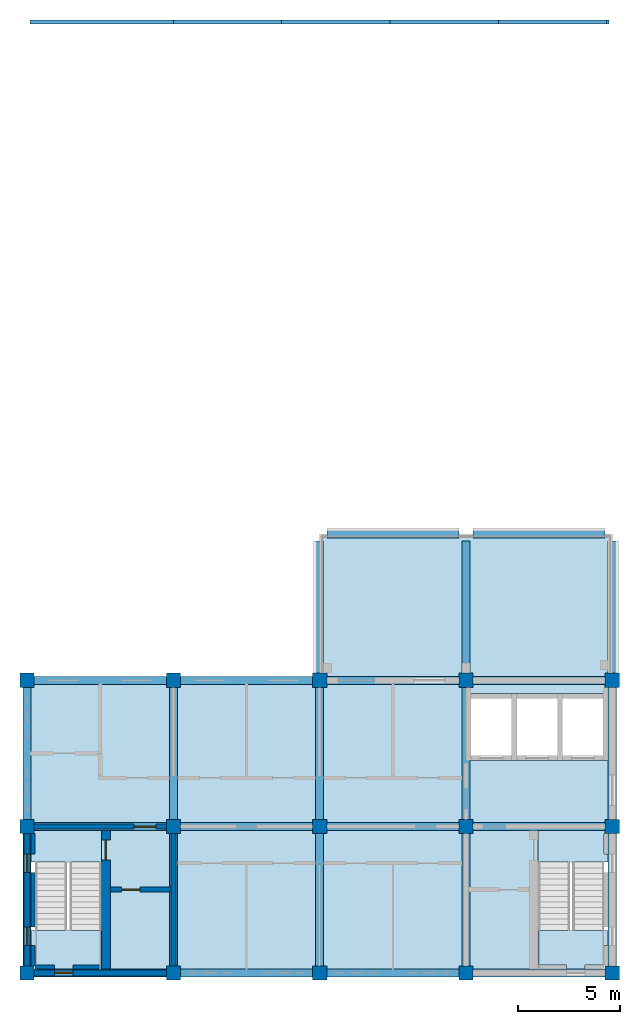
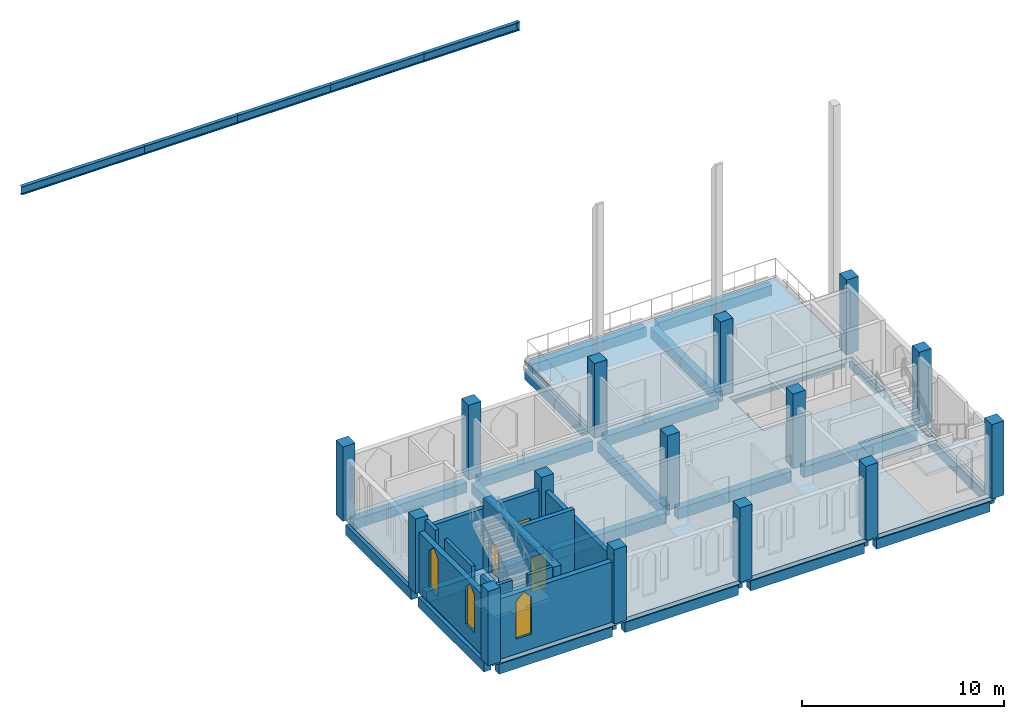
# One storey, part 1 of 5: 27 beams, 15 columns, 11 walls, 6 members, 6 slabs, 3 doors, 3 windows, 6 openings, 2 elements without a shape of their own.
"""IFC4 building model written with IfcOpenShell, lengths in metres."""

from ifc_helpers import new_model, si_unit, direction, frame, frame_2d, origin, origin_2d, place, context, subcontext, project, spatial, polyline, rectangle, i_section, outline, extrude, material, layer, layer_set, material_profile, profile_set, type_object, element, fill, aggregate, save


model = new_model("IFC4")

# Units and contexts
model_context = context("Model", 3, precision=1e-05, world=origin(), true_north=direction((0.0, 1.0)))
body_context = subcontext(model_context, "Body", "Model", "MODEL_VIEW")
ifc_project = project(units=[si_unit("LENGTHUNIT", "METRE"), si_unit("AREAUNIT", "SQUARE_METRE"), si_unit("VOLUMEUNIT", "CUBIC_METRE"), si_unit("PLANEANGLEUNIT", "RADIAN"), si_unit("MASSUNIT", "GRAM", prefix="KILO")], contexts=[model_context])

# Site, building, storey
site_placement = place(None, origin())
site = spatial("IfcSite", under=ifc_project, at=site_placement, CompositionType="ELEMENT")
building_placement = place(site_placement, origin())
building = spatial("IfcBuilding", under=site, at=building_placement, Name="Silangan Lancet Faculty of Sciences", CompositionType="ELEMENT")
storey_placement = place(building_placement, frame((0.0, 0.0, 67.800048828125)))
storey = spatial("IfcBuildingStorey", under=building, at=storey_placement, Name="L14", CompositionType="ELEMENT", Elevation=67.800048828125)

# Columns
ifc_material_1 = material(Name="Concrete C40/50", Category="concrete")
ifc_material_profile_1 = material_profile(ifc_material_1, rectangle(XDim=0.699951171875, YDim=0.699951171875, at=origin_2d()), Name="RC 700x700")
ifc_profile_set_1 = profile_set([ifc_material_profile_1], Name="Concrete C40/50")
column_type = type_object("IfcColumnType", Name="COLUMN RC 700x700", PredefinedType="COLUMN", material=ifc_profile_set_1)
for number, where, z_axis, x_axis, name in (
    (1, (0.0, 0.0, 0.0), (0.0, 0.0, 1.0), (1.0, 0.0, 0.0), "COL-L14-1A"),
    (2, (0.0, 7.199951171875, 0.0), (0.0, 0.0, 1.0), (1.0, 0.0, 0.0), "COL-L14-1B"),
    (3, (0.0, 14.39990234375, 0.0), (0.0, 0.0, 1.0), (1.0, 0.0, 0.0), "COL-L14-1C"),
    (4, (7.199951171875, 0.0, 0.0), (0.0, 0.0, 1.0), (1.0, 0.0, 0.0), "COL-L14-2A"),
    (5, (7.199951171875, 7.199951171875, 0.0), (0.0, 0.0, 1.0), (1.0, 0.0, 0.0), "COL-L14-2B"),
    (6, (7.199951171875, 14.39990234375, 0.0), (0.0, 0.0, 1.0), (1.0, 0.0, 0.0), "COL-L14-2C"),
    (7, (14.39990234375, 0.0, 0.0), (0.0, 0.0, 1.0), (1.0, 0.0, 0.0), "COL-L14-3A"),
    (8, (14.39990234375, 7.199951171875, 0.0), (0.0, 0.0, 1.0), (1.0, 0.0, 0.0), "COL-L14-3B"),
    (9, (14.39990234375, 14.39990234375, 0.0), (0.0, 0.0, 1.0), (1.0, 0.0, 0.0), "COL-L14-3C"),
    (10, (21.60009765625, 0.0, 0.0), (0.0, 0.0, 1.0), (1.0, 0.0, 0.0), "COL-L14-4A"),
    (11, (21.60009765625, 7.199951171875, 0.0), (0.0, 0.0, 1.0), (1.0, 0.0, 0.0), "COL-L14-4B"),
    (12, (21.60009765625, 14.39990234375, 0.0), (0.0, 0.0, 1.0), (1.0, 0.0, 0.0), "COL-L14-4C"),
    (13, (28.800048828125, 0.0, 0.0), (0.0, 0.0, 1.0), (1.0, 0.0, 0.0), "COL-L14-5A"),
    (14, (28.800048828125, 7.199951171875, 0.0), (0.0, 0.0, 1.0), (1.0, 0.0, 0.0), "COL-L14-5B"),
    (15, (28.800048828125, 14.39990234375, 0.0), (0.0, 0.0, 1.0), (1.0, 0.0, 0.0), "COL-L14-5C"),
):
    element("IfcColumn", number, at=place(storey_placement, frame(where, z_axis=z_axis, x_axis=x_axis)), inside=storey, type_object=column_type, Name=name, PredefinedType="COLUMN", context=body_context, shape_type="SweptSolid", body=[
        extrude(rectangle(XDim=0.699951171875, YDim=0.699951171875, at=origin_2d()), origin(), (0.0, 0.0, 1.0), 4.5),
    ])

# Beams
ifc_material_2 = material(Name="Concrete C40/50", Category="concrete")
ifc_material_profile_2 = material_profile(ifc_material_2, rectangle(XDim=0.39990234375, YDim=0.60009765625, at=origin_2d()), Name="RC 400x600")
ifc_profile_set_2 = profile_set([ifc_material_profile_2], Name="Concrete C40/50")
beam_type_1 = type_object("IfcBeamType", Name="BEAM RC 400x600", PredefinedType="BEAM", material=ifc_profile_set_2)
for number, where, z_axis, x_axis, name in (
    (16, (0.35009765625, 0.0, -0.550048828125), (1.0, 0.0, 0.0), (0.0, 1.0, 0.0), "BM-L14-1A-2A"),
    (17, (7.550048828125, 0.0, -0.550048828125), (1.0, 0.0, 0.0), (0.0, 1.0, 0.0), "BM-L14-2A-3A"),
    (18, (14.75, 0.0, -0.550048828125), (1.0, 0.0, 0.0), (0.0, 1.0, 0.0), "BM-L14-3A-4A"),
    (19, (21.949951171875, 0.0, -0.550048828125), (1.0, 0.0, 0.0), (0.0, 1.0, 0.0), "BM-L14-4A-5A"),
    (20, (0.35009765625, 14.39990234375, -0.550048828125), (1.0, 0.0, 0.0), (0.0, 1.0, 0.0), "BM-L14-1C-2C"),
    (21, (7.550048828125, 14.39990234375, -0.550048828125), (1.0, 0.0, 0.0), (0.0, 1.0, 0.0), "BM-L14-2C-3C"),
    (22, (14.75, 14.39990234375, -0.550048828125), (1.0, 0.0, 0.0), (0.0, 1.0, 0.0), "BM-L14-3C-4C"),
    (23, (21.949951171875, 14.39990234375, -0.550048828125), (1.0, 0.0, 0.0), (0.0, 1.0, 0.0), "BM-L14-4C-5C"),
    (24, (0.0, 0.35009765625, -0.550048828125), (0.0, 1.0, 0.0), (-1.0, 0.0, 0.0), "BM-L14-1A-1B"),
    (25, (0.0, 7.550048828125, -0.550048828125), (0.0, 1.0, 0.0), (-1.0, 0.0, 0.0), "BM-L14-1B-1C"),
    (26, (28.800048828125, 0.35009765625, -0.550048828125), (0.0, 1.0, 0.0), (-1.0, 0.0, 0.0), "BM-L14-5A-5B"),
    (27, (28.800048828125, 7.550048828125, -0.550048828125), (0.0, 1.0, 0.0), (-1.0, 0.0, 0.0), "BM-L14-5B-5C"),
    (28, (14.75, 21.60009765625, -0.550048828125), (1.0, 0.0, 0.0), (0.0, 1.0, 0.0), "BM-ST-T2-L14-3D-4D"),
    (29, (21.949951171875, 21.60009765625, -0.550048828125), (1.0, 0.0, 0.0), (0.0, 1.0, 0.0), "BM-ST-T2-L14-4D-5D"),
    (30, (14.39990234375, 14.75, -0.550048828125), (0.0, 1.0, 0.0), (-1.0, 0.0, 0.0), "BM-ST-T2-L14-3C-3D"),
    (31, (28.800048828125, 14.75, -0.550048828125), (0.0, 1.0, 0.0), (-1.0, 0.0, 0.0), "BM-ST-T2-L14-5C-5D"),
):
    element("IfcBeam", number, at=place(storey_placement, frame(where, z_axis=z_axis, x_axis=x_axis)), inside=storey, type_object=beam_type_1, Name=name, PredefinedType="BEAM", context=body_context, shape_type="SweptSolid", body=[
        extrude(rectangle(XDim=0.39990234375, YDim=0.60009765625, at=origin_2d()), origin(), (0.0, 0.0, 1.0), 6.5),
    ])
ifc_material_3 = material(Name="Concrete C40/50", Category="concrete")
ifc_material_profile_3 = material_profile(ifc_material_3, rectangle(XDim=0.39990234375, YDim=0.64990234375, at=origin_2d()), Name="RC 400x650")
ifc_profile_set_3 = profile_set([ifc_material_profile_3], Name="Concrete C40/50")
beam_type_2 = type_object("IfcBeamType", Name="BEAM RC 400x650", PredefinedType="BEAM", material=ifc_profile_set_3)
for number, where, z_axis, x_axis, name in (
    (32, (0.35009765625, 7.199951171875, -0.574951171875), (1.0, 0.0, 0.0), (0.0, 1.0, 0.0), "BM-L14-1B-2B"),
    (33, (7.550048828125, 7.199951171875, -0.574951171875), (1.0, 0.0, 0.0), (0.0, 1.0, 0.0), "BM-L14-2B-3B"),
    (34, (14.75, 7.199951171875, -0.574951171875), (1.0, 0.0, 0.0), (0.0, 1.0, 0.0), "BM-L14-3B-4B"),
    (35, (21.949951171875, 7.199951171875, -0.574951171875), (1.0, 0.0, 0.0), (0.0, 1.0, 0.0), "BM-L14-4B-5B"),
    (36, (7.199951171875, 0.35009765625, -0.574951171875), (0.0, 1.0, 0.0), (-1.0, 0.0, 0.0), "BM-L14-2A-2B"),
    (37, (7.199951171875, 7.550048828125, -0.574951171875), (0.0, 1.0, 0.0), (-1.0, 0.0, 0.0), "BM-L14-2B-2C"),
    (38, (14.39990234375, 0.35009765625, -0.574951171875), (0.0, 1.0, 0.0), (-1.0, 0.0, 0.0), "BM-L14-3A-3B"),
    (39, (14.39990234375, 7.550048828125, -0.574951171875), (0.0, 1.0, 0.0), (-1.0, 0.0, 0.0), "BM-L14-3B-3C"),
    (40, (21.60009765625, 0.35009765625, -0.574951171875), (0.0, 1.0, 0.0), (-1.0, 0.0, 0.0), "BM-L14-4A-4B"),
    (41, (21.60009765625, 7.550048828125, -0.574951171875), (0.0, 1.0, 0.0), (-1.0, 0.0, 0.0), "BM-L14-4B-4C"),
    (42, (21.60009765625, 14.75, -0.574951171875), (0.0, 1.0, 0.0), (-1.0, 0.0, 0.0), "BM-ST-T2-L14-4C-4D"),
):
    element("IfcBeam", number, at=place(storey_placement, frame(where, z_axis=z_axis, x_axis=x_axis)), inside=storey, type_object=beam_type_2, Name=name, PredefinedType="BEAM", context=body_context, shape_type="SweptSolid", body=[
        extrude(rectangle(XDim=0.39990234375, YDim=0.64990234375, at=origin_2d()), origin(), (0.0, 0.0, 1.0), 6.5),
    ])

# Members
ifc_material_4 = material(Name="Steel SS400", Category="steel")
ifc_material_profile_4 = material_profile(ifc_material_4, i_section(OverallWidth=0.199951171875, OverallDepth=0.5, WebThickness=0.010009765625, FlangeThickness=0.01611328125, FilletRadius=0.02001953125, at=origin_2d()), Name="H 500x200x10x16")
ifc_profile_set_4 = profile_set([ifc_material_profile_4], Name="Steel SS400")
member_type = type_object("IfcMemberType", Name="Exposed ridge beam H 500x200x10x16", PredefinedType="MEMBER", material=ifc_profile_set_4)
member_1_placement = place(storey_placement, frame((0.14990234375, 46.800048828125, 0.001953125), z_axis=(1.0, 0.0, 0.0), x_axis=(0.0, 1.0, 0.0)))
element("IfcMember", 43, at=member_1_placement, inside=storey, type_object=member_type, Name="Exposed ridge beam 1", PredefinedType="MEMBER", context=body_context, shape_type="SweptSolid", body=[
    extrude(i_section(OverallWidth=0.199951171875, OverallDepth=0.5, WebThickness=0.010009765625, FlangeThickness=0.01611328125, FilletRadius=0.02001953125, at=origin_2d()), origin(), (0.0, 0.0, 1.0), 7.050048828125),
])
for number, where, z_axis, x_axis, name in (
    (44, (7.199951171875, 46.800048828125, 0.001953125), (1.0, 0.0, 0.0), (0.0, 1.0, 0.0), "Exposed ridge beam 2"),
    (45, (12.53125, 46.800048828125, 0.001953125), (1.0, 0.0, 0.0), (0.0, 1.0, 0.0), "Exposed ridge beam 3"),
    (46, (17.862548828125, 46.800048828125, 0.001953125), (1.0, 0.0, 0.0), (0.0, 1.0, 0.0), "Exposed ridge beam 4"),
):
    element("IfcMember", number, at=place(storey_placement, frame(where, z_axis=z_axis, x_axis=x_axis)), inside=storey, type_object=member_type, Name=name, PredefinedType="MEMBER", context=body_context, shape_type="SweptSolid", body=[
        extrude(i_section(OverallWidth=0.199951171875, OverallDepth=0.5, WebThickness=0.010009765625, FlangeThickness=0.01611328125, FilletRadius=0.02001953125, at=origin_2d()), origin(), (0.0, 0.0, 1.0), 5.331298828125),
    ])
member_2_placement = place(storey_placement, frame((23.19384765625, 46.800048828125, 0.001953125), z_axis=(1.0, 0.0, 0.0), x_axis=(0.0, 1.0, 0.0)))
element("IfcMember", 47, at=member_2_placement, inside=storey, type_object=member_type, Name="Exposed ridge beam 5", PredefinedType="MEMBER", context=body_context, shape_type="SweptSolid", body=[
    extrude(i_section(OverallWidth=0.199951171875, OverallDepth=0.5, WebThickness=0.010009765625, FlangeThickness=0.01611328125, FilletRadius=0.02001953125, at=origin_2d()), origin(), (0.0, 0.0, 1.0), 5.3310546875),
])
member_3_placement = place(storey_placement, frame((28.52490234375, 46.800048828125, 0.001953125), z_axis=(1.0, 0.0, 0.0), x_axis=(0.0, 1.0, 0.0)))
element("IfcMember", 48, at=member_3_placement, inside=storey, type_object=member_type, Name="Exposed ridge beam 6", PredefinedType="MEMBER", context=body_context, shape_type="SweptSolid", body=[
    extrude(i_section(OverallWidth=0.199951171875, OverallDepth=0.5, WebThickness=0.010009765625, FlangeThickness=0.01611328125, FilletRadius=0.02001953125, at=origin_2d()), origin(), (0.0, 0.0, 1.0), 0.125),
])

# Slabs
ifc_material_5 = material(Name="Concrete C35/45", Category="concrete")
ifc_layer_1 = layer(ifc_material_5, 0.25)
ifc_layer_set_1 = layer_set([ifc_layer_1], Name="Concrete C35/45")
slab_type_1 = type_object("IfcSlabType", Name="SLAB FLOOR 250", PredefinedType="FLOOR", material=ifc_layer_set_1)
slab_1_placement = place(storey_placement, frame((0.0, 0.0, -0.25)))
element("IfcSlab", 49, at=slab_1_placement, inside=storey, type_object=slab_type_1, Name="SLAB-L14-ST", PredefinedType="FLOOR", context=body_context, shape_type="SweptSolid", body=[
    extrude(outline(polyline([(0.0, 14.550048828125), (0.0, -0.14990234375), (28.800048828125, -0.14990234375), (28.800048828125, 14.550048828125), (0.0, 14.550048828125)]), holes=[polyline([(0.14990234375, 0.14990234375), (0.14990234375, 7.199951171875), (3.64990234375, 7.199951171875), (3.64990234375, 0.14990234375), (0.14990234375, 0.14990234375)]), polyline([(25.14990234375, 7.199951171875), (28.64990234375, 7.199951171875), (28.64990234375, 0.14990234375), (25.14990234375, 0.14990234375), (25.14990234375, 7.199951171875)]), polyline([(21.60009765625, 13.75), (28.60009765625, 13.75), (28.60009765625, 10.449951171875), (21.60009765625, 10.449951171875), (21.60009765625, 13.75)])]), origin(), (0.0, 0.0, 1.0), 0.25),
])
slab_2_placement = place(storey_placement, frame((0.0, 0.0, -0.25)))
element("IfcSlab", 50, at=slab_2_placement, inside=storey, type_object=slab_type_1, Name="Terrace slab ST-T2", PredefinedType="FLOOR", context=body_context, shape_type="SweptSolid", body=[
    extrude(outline(polyline([(14.39990234375, 21.60009765625), (14.39990234375, 14.550048828125), (28.800048828125, 14.550048828125), (28.800048828125, 21.60009765625), (14.39990234375, 21.60009765625)])), origin(), (0.0, 0.0, 1.0), 0.25),
])

# Stair, slabs
ifc_material_6 = material(Name="Concrete C40/50", Category="concrete")
stair_type = type_object("IfcStairType", Name="TURRET STAIR 1550 TWO-FLIGHT", PredefinedType="HALF_TURN_STAIR", material=ifc_material_6)
stair_1_placement = place(storey_placement, origin())
stair_1 = element("IfcStair", 51, at=stair_1_placement, inside=storey, type_object=stair_type, Name="ST-A stair L14", PredefinedType="HALF_TURN_STAIR")
ifc_material_7 = material(Name="Concrete C40/50", Category="concrete")
ifc_layer_2 = layer(ifc_material_7, 0.179931640625)
ifc_layer_set_2 = layer_set([ifc_layer_2], Name="Concrete C40/50")
slab_type_2 = type_object("IfcSlabType", Name="TURRET STAIR LANDING RC 180", PredefinedType="LANDING", material=ifc_layer_set_2)
slab_3_placement = place(storey_placement, frame((0.0, 0.0, -0.179931640625)))
slab_3 = element("IfcSlab", 52, at=slab_3_placement, type_object=slab_type_2, Name="STR1 landing 1", PredefinedType="LANDING", context=body_context, shape_type="SweptSolid", body=[
    extrude(outline(polyline([(0.35009765625, 6.85009765625), (0.35009765625, 7.074951171875), (3.64990234375, 7.074951171875), (3.64990234375, 5.449951171875), (0.14990234375, 5.449951171875), (0.14990234375, 5.85009765625), (0.39990234375, 5.85009765625), (0.39990234375, 6.85009765625), (0.35009765625, 6.85009765625)])), origin(), (0.0, 0.0, 1.0), 0.179931640625),
])
slab_4_placement = place(storey_placement, frame((0.0, 0.0, 2.070068359375)))
slab_4 = element("IfcSlab", 53, at=slab_4_placement, type_object=slab_type_2, Name="STR1 landing 2", PredefinedType="LANDING", context=body_context, shape_type="SweptSolid", body=[
    extrude(outline(polyline([(1.35009765625, 0.14990234375), (1.35009765625, 0.39990234375), (0.39990234375, 0.39990234375), (0.39990234375, 1.35009765625), (0.14990234375, 1.35009765625), (0.14990234375, 2.090087890625), (3.64990234375, 2.090087890625), (3.64990234375, 0.39990234375), (2.25, 0.39990234375), (2.25, 0.14990234375), (1.35009765625, 0.14990234375)])), origin(), (0.0, 0.0, 1.0), 0.179931640625),
])
aggregate(stair_1, [slab_3, slab_4])

stair_2_placement = place(storey_placement, origin())
stair_2 = element("IfcStair", 54, at=stair_2_placement, inside=storey, type_object=stair_type, Name="ST-B stair L14", PredefinedType="HALF_TURN_STAIR")
slab_5_placement = place(storey_placement, frame((0.0, 0.0, -0.179931640625)))
slab_5 = element("IfcSlab", 55, at=slab_5_placement, type_object=slab_type_2, Name="STR2 landing 1", PredefinedType="LANDING", context=body_context, shape_type="SweptSolid", body=[
    extrude(outline(polyline([(28.39990234375, 6.85009765625), (28.39990234375, 5.85009765625), (28.64990234375, 5.85009765625), (28.64990234375, 5.449951171875), (25.14990234375, 5.449951171875), (25.14990234375, 7.074951171875), (28.449951171875, 7.074951171875), (28.449951171875, 6.85009765625), (28.39990234375, 6.85009765625)])), origin(), (0.0, 0.0, 1.0), 0.179931640625),
])
slab_6_placement = place(storey_placement, frame((0.0, 0.0, 2.070068359375)))
slab_6 = element("IfcSlab", 56, at=slab_6_placement, type_object=slab_type_2, Name="STR2 landing 2", PredefinedType="LANDING", context=body_context, shape_type="SweptSolid", body=[
    extrude(outline(polyline([(26.550048828125, 0.14990234375), (26.550048828125, 0.39990234375), (25.14990234375, 0.39990234375), (25.14990234375, 2.090087890625), (28.64990234375, 2.090087890625), (28.64990234375, 1.35009765625), (28.39990234375, 1.35009765625), (28.39990234375, 0.39990234375), (27.449951171875, 0.39990234375), (27.449951171875, 0.14990234375), (26.550048828125, 0.14990234375)])), origin(), (0.0, 0.0, 1.0), 0.179931640625),
])
aggregate(stair_2, [slab_5, slab_6])

# Wall, openings, windows
ifc_material_8 = material(Name="Concrete C40/50 precast", Category="concrete")
ifc_layer_3 = layer(ifc_material_8, 0.300048828125)
ifc_layer_set_3 = layer_set([ifc_layer_3], Name="Concrete C40/50 precast")
wall_type_1 = type_object("IfcWallType", Name="EW2 Turret enclosure wall", PredefinedType="STANDARD", material=ifc_layer_set_3)
wall_1_placement = place(storey_placement, frame((0.0, 0.35009765625, 0.0), z_axis=(0.0, 0.0, 1.0), x_axis=(0.0, 1.0, 0.0)))
wall_1 = element("IfcWall", 57, at=wall_1_placement, inside=storey, type_object=wall_type_1, Name="EW-L14-W-ST-U-00", PredefinedType="STANDARD", context=body_context, shape_type="SweptSolid", body=[
    extrude(rectangle(XDim=6.5, YDim=0.300048828125, at=frame_2d((3.25, 0.0))), origin(), (0.0, 0.0, 1.0), 3.64990234375),
])
opening_1_placement = place(wall_1_placement, frame((1.0, 0.0, 0.89990234375)))
opening_1 = element("IfcOpeningElement", 58, at=opening_1_placement, cuts=wall_1, Name="Opening W22", PredefinedType="OPENING", context=body_context, shape_type="SweptSolid", body=[
    extrude(outline(polyline([(0.0, 0.0), (0.89990234375, 0.0), (0.89990234375, 2.25), (0.449951171875, 2.699951171875), (0.0, 2.25), (0.0, 0.0)])), frame((0.0, 0.159912109375, 0.0), z_axis=(0.0, -1.0, 0.0), x_axis=(1.0, 0.0, 0.0)), (0.0, 0.0, 1.0), 0.320068359375),
])
opening_2_placement = place(wall_1_placement, frame((4.60009765625, 0.0, 0.89990234375)))
opening_2 = element("IfcOpeningElement", 59, at=opening_2_placement, cuts=wall_1, Name="Opening W22", PredefinedType="OPENING", context=body_context, shape_type="SweptSolid", body=[
    extrude(outline(polyline([(0.0, 0.0), (0.89990234375, 0.0), (0.89990234375, 2.25), (0.449951171875, 2.699951171875), (0.0, 2.25), (0.0, 0.0)])), frame((0.0, 0.159912109375, 0.0), z_axis=(0.0, -1.0, 0.0), x_axis=(1.0, 0.0, 0.0)), (0.0, 0.0, 1.0), 0.320068359375),
])
ifc_material_9 = material(Name="Aluminium frame, laminated double glazing", Category="aluminium")
window_type = type_object("IfcWindowType", Name="W22 Lancet window 900 x 2700", PartitioningType="SINGLE_PANEL", PredefinedType="WINDOW", material=ifc_material_9)
window_1_placement = place(opening_1_placement, origin())
window_1 = element("IfcWindow", 60, at=window_1_placement, inside=storey, type_object=window_type, Name="WIN-L14-W-ST-U-00a", OverallHeight=2.699951171875, OverallWidth=0.89990234375, PartitioningType="SINGLE_PANEL", PredefinedType="WINDOW", context=body_context, shape_type="SweptSolid", body=[
    extrude(outline(polyline([(0.0, 0.0), (0.89990234375, 0.0), (0.89990234375, 2.25), (0.449951171875, 2.699951171875), (0.0, 2.25), (0.0, 0.0)])), frame((0.0, 0.030029296875, 0.0), z_axis=(0.0, -1.0, 0.0), x_axis=(1.0, 0.0, 0.0)), (0.0, 0.0, 1.0), 0.06005859375),
])
fill(opening_1, window_1)
window_2_placement = place(opening_2_placement, origin())
window_2 = element("IfcWindow", 61, at=window_2_placement, inside=storey, type_object=window_type, Name="WIN-L14-W-ST-U-00b", OverallHeight=2.699951171875, OverallWidth=0.89990234375, PartitioningType="SINGLE_PANEL", PredefinedType="WINDOW", context=body_context, shape_type="SweptSolid", body=[
    extrude(outline(polyline([(0.0, 0.0), (0.89990234375, 0.0), (0.89990234375, 2.25), (0.449951171875, 2.699951171875), (0.0, 2.25), (0.0, 0.0)])), frame((0.0, 0.030029296875, 0.0), z_axis=(0.0, -1.0, 0.0), x_axis=(1.0, 0.0, 0.0)), (0.0, 0.0, 1.0), 0.06005859375),
])
fill(opening_2, window_2)

# Wall, opening, window
wall_2_placement = place(storey_placement, frame((0.35009765625, 0.0, 0.0), z_axis=(0.0, 0.0, 1.0), x_axis=(1.0, 0.0, 0.0)))
wall_2 = element("IfcWall", 62, at=wall_2_placement, inside=storey, type_object=wall_type_1, Name="EW-L14-S-ST-00", PredefinedType="STANDARD", context=body_context, shape_type="SweptSolid", body=[
    extrude(rectangle(XDim=6.5, YDim=0.300048828125, at=frame_2d((3.25, 0.0))), origin(), (0.0, 0.0, 1.0), 3.64990234375),
])
opening_3_placement = place(wall_2_placement, frame((1.0, 0.0, 0.89990234375)))
opening_3 = element("IfcOpeningElement", 63, at=opening_3_placement, cuts=wall_2, Name="Opening W22", PredefinedType="OPENING", context=body_context, shape_type="SweptSolid", body=[
    extrude(outline(polyline([(0.0, 0.0), (0.89990234375, 0.0), (0.89990234375, 2.25), (0.449951171875, 2.699951171875), (0.0, 2.25), (0.0, 0.0)])), frame((0.0, 0.159912109375, 0.0), z_axis=(0.0, -1.0, 0.0), x_axis=(1.0, 0.0, 0.0)), (0.0, 0.0, 1.0), 0.320068359375),
])
window_3_placement = place(opening_3_placement, origin())
window_3 = element("IfcWindow", 64, at=window_3_placement, inside=storey, type_object=window_type, Name="WIN-L14-S-ST-00a", OverallHeight=2.699951171875, OverallWidth=0.89990234375, PartitioningType="SINGLE_PANEL", PredefinedType="WINDOW", context=body_context, shape_type="SweptSolid", body=[
    extrude(outline(polyline([(0.0, 0.0), (0.89990234375, 0.0), (0.89990234375, 2.25), (0.449951171875, 2.699951171875), (0.0, 2.25), (0.0, 0.0)])), frame((0.0, 0.030029296875, 0.0), z_axis=(0.0, -1.0, 0.0), x_axis=(1.0, 0.0, 0.0)), (0.0, 0.0, 1.0), 0.06005859375),
])
fill(opening_3, window_3)

# Wall, opening, door
ifc_material_10 = material(Name="Concrete C40/50", Category="concrete")
ifc_layer_4 = layer(ifc_material_10, 0.449951171875)
ifc_layer_set_4 = layer_set([ifc_layer_4], Name="Concrete C40/50")
wall_type_2 = type_object("IfcWallType", Name="TURRET CORE WALL RC 450", PredefinedType="SHEAR", material=ifc_layer_set_4)
wall_3_placement = place(storey_placement, frame((3.875, 0.14990234375, 0.0), z_axis=(0.0, 0.0, 1.0), x_axis=(0.0, 1.0, 0.0)))
wall_3 = element("IfcWall", 65, at=wall_3_placement, inside=storey, type_object=wall_type_2, Name="WALL-L14-ST-A-WELL", PredefinedType="SHEAR", context=body_context, shape_type="SweptSolid", body=[
    extrude(rectangle(XDim=6.925048828125, YDim=0.449951171875, at=frame_2d((3.46240234375, 0.0))), origin(), (0.0, 0.0, 1.0), 4.25),
])
opening_4_placement = place(wall_3_placement, frame((5.39990234375, 0.0, 0.0)))
opening_4 = element("IfcOpeningElement", 66, at=opening_4_placement, cuts=wall_3, Name="Opening L14-701", PredefinedType="OPENING", context=body_context, shape_type="SweptSolid", body=[
    extrude(rectangle(XDim=1.0, YDim=2.10009765625, at=frame_2d((0.5, 1.050048828125))), frame((0.0, 0.23486328125, 0.0), z_axis=(0.0, -1.0, 0.0), x_axis=(1.0, 0.0, 0.0)), (0.0, 0.0, 1.0), 0.469970703125),
])
ifc_material_11 = material(Name="Steel fire door set", Category="steel")
door_type_1 = type_object("IfcDoorType", Name="D71 Stair enclosure door 1000x2100", OperationType="SINGLE_SWING_LEFT", PredefinedType="DOOR", material=ifc_material_11)
door_1_placement = place(opening_4_placement, origin())
door_1 = element("IfcDoor", 67, at=door_1_placement, inside=storey, type_object=door_type_1, Name="Stair enclosure door ST-A L14", OperationType="SINGLE_SWING_RIGHT", OverallHeight=2.10009765625, OverallWidth=1.0, PredefinedType="DOOR", context=body_context, shape_type="SweptSolid", body=[
    extrude(rectangle(XDim=1.0, YDim=2.10009765625, at=frame_2d((0.5, 1.050048828125))), frame((0.0, 0.02490234375, 0.0), z_axis=(0.0, -1.0, 0.0), x_axis=(1.0, 0.0, 0.0)), (0.0, 0.0, 1.0), 0.050048828125),
])
fill(opening_4, door_1)

# Walls
ifc_material_12 = material(Name="Concrete C40/50", Category="concrete")
ifc_layer_5 = layer(ifc_material_12, 0.199951171875)
ifc_layer_set_5 = layer_set([ifc_layer_5], Name="Concrete C40/50")
wall_type_3 = type_object("IfcWallType", Name="TURRET LINING WALL RC 200", PredefinedType="SHEAR", material=ifc_layer_set_5)
wall_4_placement = place(storey_placement, frame((0.300048828125, 0.35009765625, -0.25), z_axis=(0.0, 0.0, 1.0), x_axis=(0.0, 1.0, 0.0)))
element("IfcWall", 68, at=wall_4_placement, inside=storey, type_object=wall_type_3, Name="WALL-L14-ST-A-WL", PredefinedType="SHEAR", context=body_context, shape_type="SweptSolid", body=[
    extrude(rectangle(XDim=1.0, YDim=0.199951171875, at=frame_2d((0.5, 0.0))), origin(), (0.0, 0.0, 1.0), 4.5),
])
wall_5_placement = place(storey_placement, frame((0.300048828125, 2.25, -0.25), z_axis=(0.0, 0.0, 1.0), x_axis=(0.0, 1.0, 0.0)))
element("IfcWall", 69, at=wall_5_placement, inside=storey, type_object=wall_type_3, Name="WALL-L14-ST-A-WL-2", PredefinedType="SHEAR", context=body_context, shape_type="SweptSolid", body=[
    extrude(rectangle(XDim=2.699951171875, YDim=0.199951171875, at=frame_2d((1.35009765625, 0.0))), origin(), (0.0, 0.0, 1.0), 4.5),
])
wall_6_placement = place(storey_placement, frame((0.300048828125, 5.85009765625, -0.25), z_axis=(0.0, 0.0, 1.0), x_axis=(0.0, 1.0, 0.0)))
element("IfcWall", 70, at=wall_6_placement, inside=storey, type_object=wall_type_3, Name="WALL-L14-ST-A-WL-3", PredefinedType="SHEAR", context=body_context, shape_type="SweptSolid", body=[
    extrude(rectangle(XDim=1.0, YDim=0.199951171875, at=frame_2d((0.5, 0.0))), origin(), (0.0, 0.0, 1.0), 4.5),
])
wall_7_placement = place(storey_placement, frame((0.39990234375, 0.300048828125, -0.25), z_axis=(0.0, 0.0, 1.0), x_axis=(1.0, 0.0, 0.0)))
element("IfcWall", 71, at=wall_7_placement, inside=storey, type_object=wall_type_3, Name="WALL-L14-ST-A-WLD", PredefinedType="SHEAR", context=body_context, shape_type="SweptSolid", body=[
    extrude(rectangle(XDim=0.9501953125, YDim=0.199951171875, at=frame_2d((0.47509765625, 0.0))), origin(), (0.0, 0.0, 1.0), 4.5),
])
wall_8_placement = place(storey_placement, frame((2.25, 0.300048828125, -0.25), z_axis=(0.0, 0.0, 1.0), x_axis=(1.0, 0.0, 0.0)))
element("IfcWall", 72, at=wall_8_placement, inside=storey, type_object=wall_type_3, Name="WALL-L14-ST-A-WLD-2", PredefinedType="SHEAR", context=body_context, shape_type="SweptSolid", body=[
    extrude(rectangle(XDim=1.39990234375, YDim=0.199951171875, at=frame_2d((0.699951171875, 0.0))), origin(), (0.0, 0.0, 1.0), 4.5),
])

# Wall, opening, door
ifc_material_13 = material(Name="Concrete C40/50", Category="concrete")
ifc_layer_6 = layer(ifc_material_13, 0.25)
ifc_layer_set_6 = layer_set([ifc_layer_6], Name="Concrete C40/50")
wall_type_4 = type_object("IfcWallType", Name="TURRET WALL RC 250", PredefinedType="SHEAR", material=ifc_layer_set_6)
wall_9_placement = place(storey_placement, frame((0.35009765625, 7.199951171875, 0.0), z_axis=(0.0, 0.0, 1.0), x_axis=(1.0, 0.0, 0.0)))
wall_9 = element("IfcWall", 73, at=wall_9_placement, inside=storey, type_object=wall_type_4, Name="WALL-L14-ST-A-V", PredefinedType="SHEAR", context=body_context, shape_type="SweptSolid", body=[
    extrude(rectangle(XDim=6.5, YDim=0.25, at=frame_2d((3.25, 0.0))), origin(), (0.0, 0.0, 1.0), 3.599853515625),
])
opening_5_placement = place(wall_9_placement, frame((4.89990234375, 0.0, 0.0)))
opening_5 = element("IfcOpeningElement", 74, at=opening_5_placement, cuts=wall_9, Name="Opening L14-702", PredefinedType="OPENING", context=body_context, shape_type="SweptSolid", body=[
    extrude(rectangle(XDim=1.10009765625, YDim=2.10009765625, at=frame_2d((0.550048828125, 1.050048828125))), frame((0.0, 0.135009765625, 0.0), z_axis=(0.0, -1.0, 0.0), x_axis=(1.0, 0.0, 0.0)), (0.0, 0.0, 1.0), 0.27001953125),
])
ifc_material_14 = material(Name="Steel fire door set", Category="steel")
door_type_2 = type_object("IfcDoorType", Name="D70 Stair vestibule door 1100x2100", OperationType="SINGLE_SWING_LEFT", PredefinedType="DOOR", material=ifc_material_14)
door_2_placement = place(opening_5_placement, frame((1.10009765625, 0.0, 0.0), z_axis=(0.0, 0.0, 1.0), x_axis=(-1.0, 0.0, 0.0)))
door_2 = element("IfcDoor", 75, at=door_2_placement, inside=storey, type_object=door_type_2, Name="Stair vestibule door ST-A L14", OperationType="SINGLE_SWING_LEFT", OverallHeight=2.10009765625, OverallWidth=1.10009765625, PredefinedType="DOOR", context=body_context, shape_type="SweptSolid", body=[
    extrude(rectangle(XDim=1.10009765625, YDim=2.10009765625, at=frame_2d((0.550048828125, 1.050048828125))), frame((0.0, 0.025146484375, 0.0), z_axis=(0.0, -1.0, 0.0), x_axis=(1.0, 0.0, 0.0)), (0.0, 0.0, 1.0), 0.050048828125),
])
fill(opening_5, door_2)

# Wall
wall_10_placement = place(storey_placement, frame((7.199951171875, 0.35009765625, 0.0), z_axis=(0.0, 0.0, 1.0), x_axis=(0.0, 1.0, 0.0)))
element("IfcWall", 76, at=wall_10_placement, inside=storey, type_object=wall_type_4, Name="WALL-L14-ST-A-O", PredefinedType="SHEAR", context=body_context, shape_type="SweptSolid", body=[
    extrude(rectangle(XDim=6.5, YDim=0.25, at=frame_2d((3.25, 0.0))), origin(), (0.0, 0.0, 1.0), 3.599853515625),
])

# Wall, opening, door
wall_11_placement = place(storey_placement, frame((4.10009765625, 4.10009765625, 0.0), z_axis=(0.0, 0.0, 1.0), x_axis=(1.0, 0.0, 0.0)))
wall_11 = element("IfcWall", 77, at=wall_11_placement, inside=storey, type_object=wall_type_4, Name="WALL-L14-ST-A-RISER", PredefinedType="SHEAR", context=body_context, shape_type="SweptSolid", body=[
    extrude(rectangle(XDim=2.974853515625, YDim=0.25, at=frame_2d((1.4873046875, 0.0))), origin(), (0.0, 0.0, 1.0), 4.25),
])
opening_6_placement = place(wall_11_placement, frame((0.550048828125, 0.0, 0.0)))
opening_6 = element("IfcOpeningElement", 78, at=opening_6_placement, cuts=wall_11, Name="Opening L14-703", PredefinedType="OPENING", context=body_context, shape_type="SweptSolid", body=[
    extrude(rectangle(XDim=0.89990234375, YDim=2.10009765625, at=frame_2d((0.449951171875, 1.050048828125))), frame((0.0, 0.135009765625, 0.0), z_axis=(0.0, -1.0, 0.0), x_axis=(1.0, 0.0, 0.0)), (0.0, 0.0, 1.0), 0.27001953125),
])
ifc_material_15 = material(Name="Steel fire door set", Category="steel")
door_type_3 = type_object("IfcDoorType", Name="D72 Riser access door 900x2100", OperationType="SINGLE_SWING_LEFT", PredefinedType="DOOR", material=ifc_material_15)
door_3_placement = place(opening_6_placement, frame((0.89990234375, 0.0, 0.0), z_axis=(0.0, 0.0, 1.0), x_axis=(-1.0, 0.0, 0.0)))
door_3 = element("IfcDoor", 79, at=door_3_placement, inside=storey, type_object=door_type_3, Name="Riser access door ST-A L14", OperationType="SINGLE_SWING_LEFT", OverallHeight=2.10009765625, OverallWidth=0.89990234375, PredefinedType="DOOR", context=body_context, shape_type="SweptSolid", body=[
    extrude(rectangle(XDim=0.89990234375, YDim=2.10009765625, at=frame_2d((0.449951171875, 1.050048828125))), frame((0.0, 0.025146484375, 0.0), z_axis=(0.0, -1.0, 0.0), x_axis=(1.0, 0.0, 0.0)), (0.0, 0.0, 1.0), 0.050048828125),
])
fill(opening_6, door_3)

save(model, "model.ifc")
